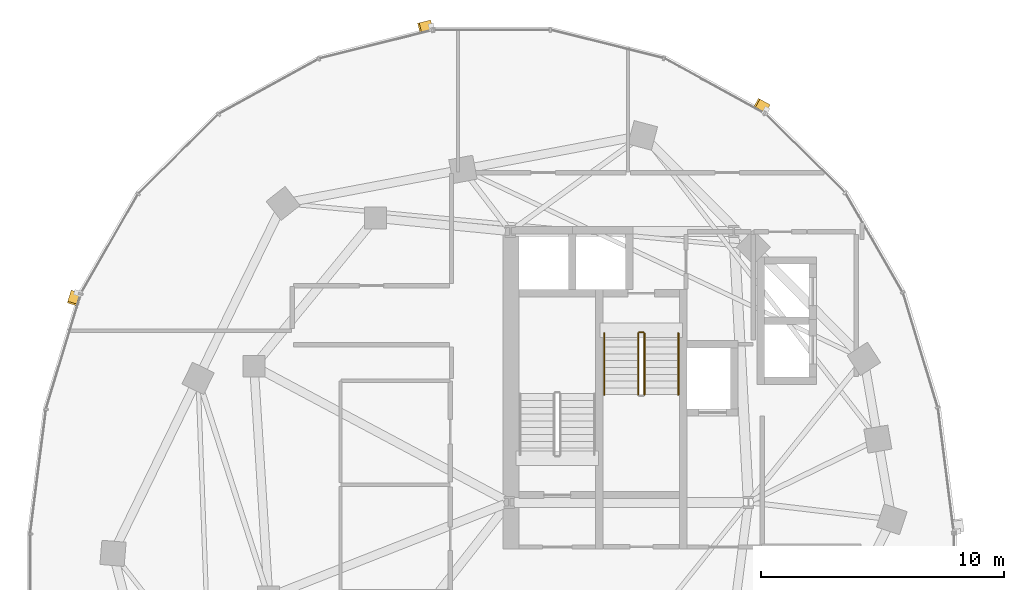
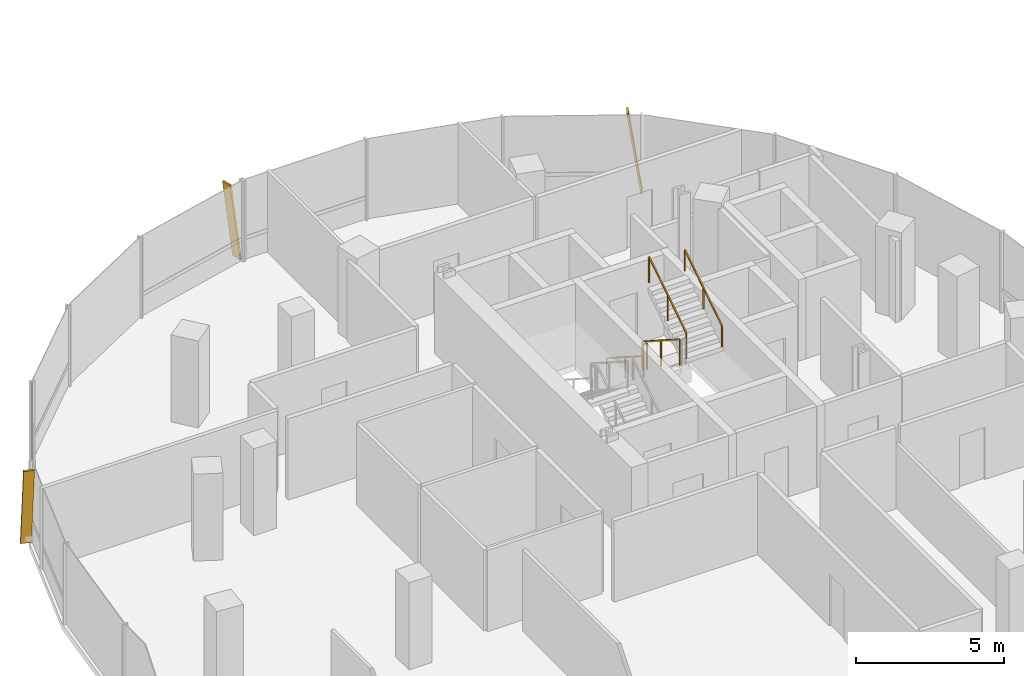
# One storey, part 20 of 22: 5 railings, 3 shading devices.
"""IFC4 building model written with IfcOpenShell, lengths in metres."""

from ifc_helpers import new_model, si_unit, direction, frame, origin, origin_2d, place, context, subcontext, project, spatial, rectangle, extrude, material, material_profile, profile_set, type_object, element, save


model = new_model("IFC4")

# Units and contexts
model_context = context("Model", 3, precision=1e-05, world=origin(), true_north=direction((0.0, 1.0)))
body_context = subcontext(model_context, "Body", "Model", "MODEL_VIEW")
ifc_project = project(units=[si_unit("LENGTHUNIT", "METRE"), si_unit("AREAUNIT", "SQUARE_METRE"), si_unit("VOLUMEUNIT", "CUBIC_METRE"), si_unit("PLANEANGLEUNIT", "RADIAN"), si_unit("MASSUNIT", "GRAM", prefix="KILO"), si_unit("THERMODYNAMICTEMPERATUREUNIT", "KELVIN"), si_unit("POWERUNIT", "WATT")], contexts=[model_context])

# Site, building, storey
site_placement = place(None, origin())
site = spatial("IfcSite", under=ifc_project, at=site_placement, CompositionType="ELEMENT")
building_placement = place(site_placement, origin())
building = spatial("IfcBuilding", under=site, at=building_placement, Name="Cundina Bronze Exchange", CompositionType="ELEMENT")
storey_placement = place(building_placement, frame((0.0, 0.0, 144.0)))
storey = spatial("IfcBuildingStorey", under=building, at=storey_placement, Name="L37", CompositionType="ELEMENT", Elevation=144.0)

# Railings
ifc_material_1 = material(Name="Steel ASTM A36 Painted", Category="steel")
railing_type_1 = type_object("IfcRailingType", Name="RLG-HND-900", PredefinedType="HANDRAIL", material=ifc_material_1)
railing_1_placement = place(storey_placement, frame((-27.389892578125, 10.85009765625, 0.179931640625)))
element("IfcRailing", 1, at=railing_1_placement, inside=storey, type_object=railing_type_1, Name="L37 ST-W2 stair handrail 1", PredefinedType="HANDRAIL", context=body_context, shape_type="SweptSolid", body=[
    extrude(rectangle(XDim=0.048095703125, YDim=0.048095703125, at=origin_2d()), frame((0.0, 0.0, 0.8759765625), z_axis=(0.0, -0.841162588446, 0.540782303519), x_axis=(1.0, 0.0, 0.0)), (0.0, 0.0, 1.0), 2.995849609375),
    extrude(rectangle(XDim=0.0419921875, YDim=0.0419921875, at=origin_2d()), origin(), (0.0, 0.0, 1.0), 0.851806640625),
    extrude(rectangle(XDim=0.0419921875, YDim=0.0419921875, at=origin_2d()), frame((0.0, -1.260009765625, 0.81005859375)), (0.0, 0.0, 1.0), 0.851806640625),
    extrude(rectangle(XDim=0.0419921875, YDim=0.0419921875, at=origin_2d()), frame((0.0, -2.52001953125, 1.6201171875)), (0.0, 0.0, 1.0), 0.851806640625),
])
railing_2_placement = place(storey_placement, frame((-24.330078125, 8.330078125, 1.97998046875)))
element("IfcRailing", 2, at=railing_2_placement, inside=storey, type_object=railing_type_1, Name="L37 ST-W2 stair handrail 2", PredefinedType="HANDRAIL", context=body_context, shape_type="SweptSolid", body=[
    extrude(rectangle(XDim=0.048095703125, YDim=0.048095703125, at=origin_2d()), frame((0.0, 0.0, 0.8759765625), z_axis=(0.0, 0.841162588446, 0.540782303519), x_axis=(-1.0, 0.0, 0.0)), (0.0, 0.0, 1.0), 2.995849609375),
    extrude(rectangle(XDim=0.0419921875, YDim=0.0419921875, at=origin_2d()), origin(), (0.0, 0.0, 1.0), 0.851806640625),
    extrude(rectangle(XDim=0.0419921875, YDim=0.0419921875, at=origin_2d()), frame((0.0, 1.260009765625, 0.81005859375)), (0.0, 0.0, 1.0), 0.851806640625),
    extrude(rectangle(XDim=0.0419921875, YDim=0.0419921875, at=origin_2d()), frame((0.0, 2.52001953125, 1.6201171875)), (0.0, 0.0, 1.0), 0.851806640625),
])
railing_type_2 = type_object("IfcRailingType", Name="RLG-STG-1100", PredefinedType="GUARDRAIL", material=ifc_material_1)
railing_3_placement = place(storey_placement, frame((-25.989990234375, 10.85009765625, 0.179931640625)))
element("IfcRailing", 3, at=railing_3_placement, inside=storey, type_object=railing_type_2, Name="L37 ST-W2 stair guard 1", PredefinedType="GUARDRAIL", context=body_context, shape_type="SweptSolid", body=[
    extrude(rectangle(XDim=0.048095703125, YDim=0.048095703125, at=origin_2d()), frame((0.0, 0.0, 1.076171875), z_axis=(0.0, -0.841162588446, 0.540782303519), x_axis=(1.0, 0.0, 0.0)), (0.0, 0.0, 1.0), 2.995849609375),
    extrude(rectangle(XDim=0.0419921875, YDim=0.0419921875, at=origin_2d()), origin(), (0.0, 0.0, 1.0), 1.052001953125),
    extrude(rectangle(XDim=0.0419921875, YDim=0.0419921875, at=origin_2d()), frame((0.0, -1.260009765625, 0.81005859375)), (0.0, 0.0, 1.0), 1.052001953125),
    extrude(rectangle(XDim=0.0419921875, YDim=0.0419921875, at=origin_2d()), frame((0.0, -2.52001953125, 1.6201171875)), (0.0, 0.0, 1.0), 1.052001953125),
])
railing_4_placement = place(storey_placement, frame((-25.72998046875, 8.330078125, 1.97998046875)))
element("IfcRailing", 4, at=railing_4_placement, inside=storey, type_object=railing_type_2, Name="L37 ST-W2 stair guard 3", PredefinedType="GUARDRAIL", context=body_context, shape_type="SweptSolid", body=[
    extrude(rectangle(XDim=0.048095703125, YDim=0.048095703125, at=origin_2d()), frame((0.0, 0.0, 1.076171875), z_axis=(0.0, 0.841162588446, 0.540782303519), x_axis=(-1.0, 0.0, 0.0)), (0.0, 0.0, 1.0), 2.995849609375),
    extrude(rectangle(XDim=0.0419921875, YDim=0.0419921875, at=origin_2d()), origin(), (0.0, 0.0, 1.0), 1.052001953125),
    extrude(rectangle(XDim=0.0419921875, YDim=0.0419921875, at=origin_2d()), frame((0.0, 1.260009765625, 0.81005859375)), (0.0, 0.0, 1.0), 1.052001953125),
    extrude(rectangle(XDim=0.0419921875, YDim=0.0419921875, at=origin_2d()), frame((0.0, 2.52001953125, 1.6201171875)), (0.0, 0.0, 1.0), 1.052001953125),
])
railing_5_placement = place(storey_placement, frame((-25.93994140625, 10.89990234375, 0.0)))
element("IfcRailing", 5, at=railing_5_placement, inside=storey, type_object=railing_type_2, Name="L37 ST-W2 stair guard 4", PredefinedType="GUARDRAIL", context=body_context, shape_type="SweptSolid", body=[
    extrude(rectangle(XDim=0.048095703125, YDim=0.048095703125, at=origin_2d()), frame((0.0, 0.0, 1.076171875), z_axis=(1.0, 0.0, 0.0), x_axis=(0.0, 1.0, 0.0)), (0.0, 0.0, 1.0), 0.159912109375),
    extrude(rectangle(XDim=0.0419921875, YDim=0.0419921875, at=origin_2d()), origin(), (0.0, 0.0, 1.0), 1.052001953125),
    extrude(rectangle(XDim=0.0419921875, YDim=0.0419921875, at=origin_2d()), frame((0.159912109375, 0.0, 0.0)), (0.0, 0.0, 1.0), 1.052001953125),
])

# Shading devices
ifc_material_2 = material(Name="Anodised Bronze Aluminium 6063-T6", Category="aluminium")
ifc_material_profile = material_profile(ifc_material_2, rectangle(XDim=0.070068359375, YDim=0.3798828125, at=origin_2d()), Name="FIN70X380", Category="aluminium")
ifc_profile_set = profile_set([ifc_material_profile], Name="Anodised Bronze Aluminium 6063-T6")
shading_device_type = type_object("IfcShadingDeviceType", Name="SHD-FIN-BRZ380", PredefinedType="USERDEFINED", material=ifc_profile_set)
for number, where, z_axis, x_axis, name in (
    (6, (-20.679931640625, 20.11181640625, 0.02001953125), (-0.125324460949, 0.068993954111, 0.989713905017), (0.867011652888, -0.477309551067, 0.143060778049), "L37 Diagonal Bronze Solar Fin 5"),
    (7, (-34.51953125, 23.556396484375, 0.02001953125), (-0.138788401144, -0.034715294885, 0.989713407007), (0.960133415413, 0.240159223467, 0.14306422331), "L37 Diagonal Bronze Solar Fin 1"),
    (8, (-49.151123046875, 12.5439453125, 0.02001953125), (-0.041483395017, -0.136967981441, 0.989706471636), (0.286882504107, 0.947215566191, 0.143112193758), "L37 Diagonal Bronze Solar Fin 5"),
):
    element("IfcShadingDevice", number, at=place(storey_placement, frame(where, z_axis=z_axis, x_axis=x_axis)), inside=storey, type_object=shading_device_type, Name=name, ObjectType="FIN", PredefinedType="USERDEFINED", context=body_context, shape_type="SweptSolid", body=[
        extrude(rectangle(XDim=0.070068359375, YDim=0.3798828125, at=origin_2d()), origin(), (0.0, 0.0, 1.0), 3.3544921875),
    ])

save(model, "model.ifc")
